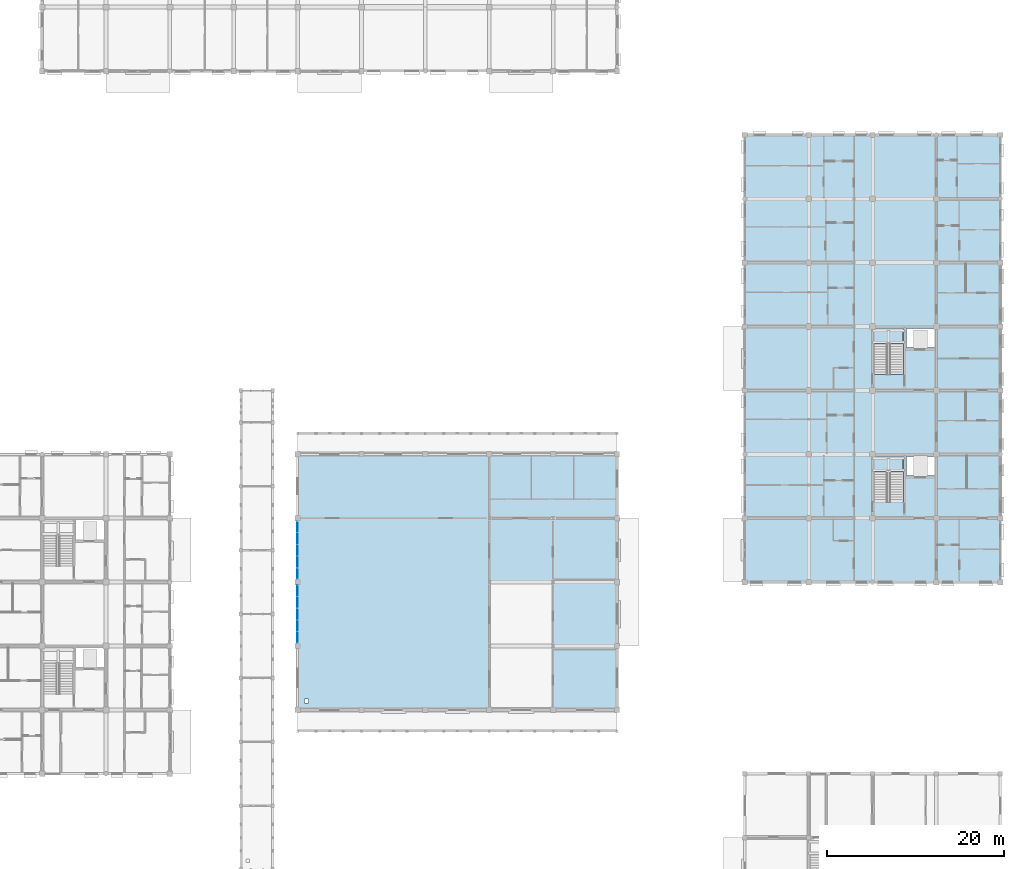
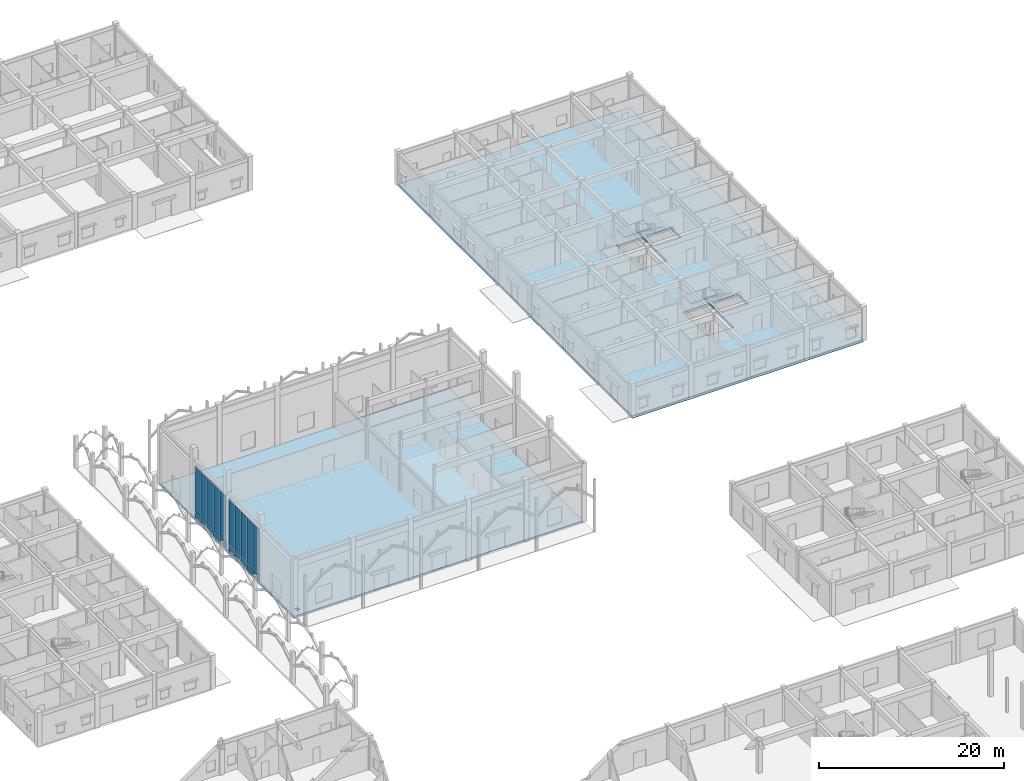
# One storey, part 62 of 138: 20 plates, 4 slabs, 4 elements without a shape of their own.
"""IFC4 building model written with IfcOpenShell, lengths in metres."""

from ifc_helpers import new_model, si_unit, direction, frame, origin, origin_2d, place, context, subcontext, project, spatial, polyline, rectangle, outline, extrude, material, layer, layer_set, type_object, element, aggregate, save


model = new_model("IFC4")

# Units and contexts
model_context = context("Model", 3, precision=1e-05, world=origin(), true_north=direction((0.0, 1.0)))
body_context = subcontext(model_context, "Body", "Model", "MODEL_VIEW")
ifc_project = project(units=[si_unit("LENGTHUNIT", "METRE"), si_unit("AREAUNIT", "SQUARE_METRE"), si_unit("VOLUMEUNIT", "CUBIC_METRE"), si_unit("PLANEANGLEUNIT", "RADIAN"), si_unit("MASSUNIT", "GRAM", prefix="KILO"), si_unit("THERMODYNAMICTEMPERATUREUNIT", "KELVIN"), si_unit("POWERUNIT", "WATT")], contexts=[model_context])

# Site, building, storey
site_placement = place(None, origin())
site = spatial("IfcSite", under=ifc_project, at=site_placement, CompositionType="ELEMENT")
building_placement = place(site_placement, origin())
building = spatial("IfcBuilding", under=site, at=building_placement, Name="Tavuni Mirador Residences", CompositionType="ELEMENT")
storey_placement = place(building_placement, origin())
storey = spatial("IfcBuildingStorey", under=building, at=storey_placement, Name="L00", CompositionType="ELEMENT", Elevation=0.0)

# Curtain wall, plates
ifc_material_1 = material(Name="Anodised aluminium", Category="aluminium")
ifc_layer_1 = layer(ifc_material_1, 0.199951171875, Name="Anodised aluminium", Category="aluminium")
ifc_layer_set_1 = layer_set([ifc_layer_1], Name="Anodised aluminium")
curtain_wall_type = type_object("IfcCurtainWallType", Name="CWT-HAL-01", PredefinedType="NOTDEFINED", material=ifc_layer_set_1)
curtain_wall_1_placement = place(storey_placement, origin())
curtain_wall_1 = element("IfcCurtainWall", 1, at=curtain_wall_1_placement, inside=storey, type_object=curtain_wall_type, Name="CW-PAV-HALL-L00-W02", PredefinedType="NOTDEFINED")
ifc_material_2 = material(Name="Laminated solar-control glass", Category="glass")
ifc_layer_2 = layer(ifc_material_2, 0.02392578125, Name="Laminated solar-control glass", Category="glass")
ifc_layer_set_2 = layer_set([ifc_layer_2], Name="Laminated solar-control glass")
plate_type_1 = type_object("IfcPlateType", Name="CWP-GL24", PredefinedType="CURTAIN_PANEL", material=ifc_layer_set_2)
plate_1_placement = place(storey_placement, frame((39.60009765625, 92.62255859375, 0.882568359375), z_axis=(0.0, 0.0, 1.0), x_axis=(0.0, -1.0, 0.0)))
plate_1 = element("IfcPlate", 2, at=plate_1_placement, type_object=plate_type_1, Name="CW-06 panel 1.2", PredefinedType="CURTAIN_PANEL", context=body_context, shape_type="SweptSolid", body=[
    extrude(rectangle(XDim=1.215087890625, YDim=0.02392578125, at=origin_2d()), origin(), (0.0, 0.0, 1.0), 6.00244140625),
])
plate_2_placement = place(storey_placement, frame((39.60009765625, 91.320068359375, 0.882568359375), z_axis=(0.0, 0.0, 1.0), x_axis=(0.0, -1.0, 0.0)))
plate_2 = element("IfcPlate", 3, at=plate_2_placement, type_object=plate_type_1, Name="CW-06 panel 2.2", PredefinedType="CURTAIN_PANEL", context=body_context, shape_type="SweptSolid", body=[
    extrude(rectangle(XDim=1.25, YDim=0.02392578125, at=origin_2d()), origin(), (0.0, 0.0, 1.0), 6.00244140625),
])
plate_3_placement = place(storey_placement, frame((39.60009765625, 90.0, 0.882568359375), z_axis=(0.0, 0.0, 1.0), x_axis=(0.0, -1.0, 0.0)))
plate_3 = element("IfcPlate", 4, at=plate_3_placement, type_object=plate_type_1, Name="CW-06 panel 3.2", PredefinedType="CURTAIN_PANEL", context=body_context, shape_type="SweptSolid", body=[
    extrude(rectangle(XDim=1.25, YDim=0.02392578125, at=origin_2d()), origin(), (0.0, 0.0, 1.0), 6.00244140625),
])
plate_4_placement = place(storey_placement, frame((39.60009765625, 88.679931640625, 0.882568359375), z_axis=(0.0, 0.0, 1.0), x_axis=(0.0, -1.0, 0.0)))
plate_4 = element("IfcPlate", 5, at=plate_4_placement, type_object=plate_type_1, Name="CW-06 panel 4.2", PredefinedType="CURTAIN_PANEL", context=body_context, shape_type="SweptSolid", body=[
    extrude(rectangle(XDim=1.25, YDim=0.02392578125, at=origin_2d()), origin(), (0.0, 0.0, 1.0), 6.00244140625),
])
plate_5_placement = place(storey_placement, frame((39.60009765625, 87.37744140625, 0.882568359375), z_axis=(0.0, 0.0, 1.0), x_axis=(0.0, -1.0, 0.0)))
plate_5 = element("IfcPlate", 6, at=plate_5_placement, type_object=plate_type_1, Name="CW-06 panel 5.2", PredefinedType="CURTAIN_PANEL", context=body_context, shape_type="SweptSolid", body=[
    extrude(rectangle(XDim=1.215087890625, YDim=0.02392578125, at=origin_2d()), origin(), (0.0, 0.0, 1.0), 6.00244140625),
])

curtain_wall_2_placement = place(storey_placement, origin())
curtain_wall_2 = element("IfcCurtainWall", 7, at=curtain_wall_2_placement, inside=storey, type_object=curtain_wall_type, Name="CW-PAV-HALL-L00-W01", PredefinedType="NOTDEFINED")
ifc_layer_3 = layer(ifc_material_2, 0.028076171875, Name="Laminated solar-control glass", Category="glass")
ifc_layer_set_3 = layer_set([ifc_layer_3], Name="Laminated solar-control glass")
plate_type_2 = type_object("IfcPlateType", Name="CWP-GL28", PredefinedType="CURTAIN_PANEL", material=ifc_layer_set_3)
plate_6_placement = place(storey_placement, frame((39.60009765625, 85.422607421875, 0.882568359375), z_axis=(0.0, 0.0, 1.0), x_axis=(0.0, -1.0, 0.0)))
plate_6 = element("IfcPlate", 8, at=plate_6_placement, type_object=plate_type_2, Name="CW-06 panel 1.2", PredefinedType="CURTAIN_PANEL", context=body_context, shape_type="SweptSolid", body=[
    extrude(rectangle(XDim=1.215087890625, YDim=0.028076171875, at=origin_2d()), origin(), (0.0, 0.0, 1.0), 6.00244140625),
])
plate_7_placement = place(storey_placement, frame((39.60009765625, 84.1201171875, 0.882568359375), z_axis=(0.0, 0.0, 1.0), x_axis=(0.0, -1.0, 0.0)))
plate_7 = element("IfcPlate", 9, at=plate_7_placement, type_object=plate_type_2, Name="CW-06 panel 2.2", PredefinedType="CURTAIN_PANEL", context=body_context, shape_type="SweptSolid", body=[
    extrude(rectangle(XDim=1.25, YDim=0.028076171875, at=origin_2d()), origin(), (0.0, 0.0, 1.0), 6.00244140625),
])
plate_8_placement = place(storey_placement, frame((39.60009765625, 82.800048828125, 0.882568359375), z_axis=(0.0, 0.0, 1.0), x_axis=(0.0, -1.0, 0.0)))
plate_8 = element("IfcPlate", 10, at=plate_8_placement, type_object=plate_type_2, Name="CW-06 panel 3.2", PredefinedType="CURTAIN_PANEL", context=body_context, shape_type="SweptSolid", body=[
    extrude(rectangle(XDim=1.25, YDim=0.028076171875, at=origin_2d()), origin(), (0.0, 0.0, 1.0), 6.00244140625),
])
plate_9_placement = place(storey_placement, frame((39.60009765625, 81.47998046875, 0.882568359375), z_axis=(0.0, 0.0, 1.0), x_axis=(0.0, -1.0, 0.0)))
plate_9 = element("IfcPlate", 11, at=plate_9_placement, type_object=plate_type_2, Name="CW-06 panel 4.2", PredefinedType="CURTAIN_PANEL", context=body_context, shape_type="SweptSolid", body=[
    extrude(rectangle(XDim=1.25, YDim=0.028076171875, at=origin_2d()), origin(), (0.0, 0.0, 1.0), 6.00244140625),
])
plate_10_placement = place(storey_placement, frame((39.60009765625, 80.177490234375, 0.882568359375), z_axis=(0.0, 0.0, 1.0), x_axis=(0.0, -1.0, 0.0)))
plate_10 = element("IfcPlate", 12, at=plate_10_placement, type_object=plate_type_2, Name="CW-06 panel 5.2", PredefinedType="CURTAIN_PANEL", context=body_context, shape_type="SweptSolid", body=[
    extrude(rectangle(XDim=1.215087890625, YDim=0.028076171875, at=origin_2d()), origin(), (0.0, 0.0, 1.0), 6.00244140625),
])

# Plate
ifc_material_3 = material(Name="Ceramic trencadis mosaic panel", Category="masonry")
ifc_layer_4 = layer(ifc_material_3, 0.0419921875, Name="Ceramic trencadis mosaic panel", Category="masonry")
ifc_layer_set_4 = layer_set([ifc_layer_4], Name="Ceramic trencadis mosaic panel")
plate_type_3 = type_object("IfcPlateType", Name="CWP-SP42", PredefinedType="CURTAIN_PANEL", material=ifc_layer_set_4)
plate_11_placement = place(storey_placement, frame((39.60009765625, 92.62255859375, 0.06494140625), z_axis=(0.0, 0.0, 1.0), x_axis=(0.0, -1.0, 0.0)))
plate_11 = element("IfcPlate", 13, at=plate_11_placement, type_object=plate_type_3, Name="CW-06 panel 1.1", PredefinedType="CURTAIN_PANEL", context=body_context, shape_type="SweptSolid", body=[
    extrude(rectangle(XDim=1.215087890625, YDim=0.0419921875, at=origin_2d()), origin(), (0.0, 0.0, 1.0), 0.75244140625),
])

plate_12_placement = place(storey_placement, frame((39.60009765625, 91.320068359375, 0.06494140625), z_axis=(0.0, 0.0, 1.0), x_axis=(0.0, -1.0, 0.0)))
plate_12 = element("IfcPlate", 14, at=plate_12_placement, type_object=plate_type_3, Name="CW-06 panel 2.1", PredefinedType="CURTAIN_PANEL", context=body_context, shape_type="SweptSolid", body=[
    extrude(rectangle(XDim=1.25, YDim=0.0419921875, at=origin_2d()), origin(), (0.0, 0.0, 1.0), 0.75244140625),
])

plate_13_placement = place(storey_placement, frame((39.60009765625, 90.0, 0.06494140625), z_axis=(0.0, 0.0, 1.0), x_axis=(0.0, -1.0, 0.0)))
plate_13 = element("IfcPlate", 15, at=plate_13_placement, type_object=plate_type_3, Name="CW-06 panel 3.1", PredefinedType="CURTAIN_PANEL", context=body_context, shape_type="SweptSolid", body=[
    extrude(rectangle(XDim=1.25, YDim=0.0419921875, at=origin_2d()), origin(), (0.0, 0.0, 1.0), 0.75244140625),
])

plate_14_placement = place(storey_placement, frame((39.60009765625, 88.679931640625, 0.06494140625), z_axis=(0.0, 0.0, 1.0), x_axis=(0.0, -1.0, 0.0)))
plate_14 = element("IfcPlate", 16, at=plate_14_placement, type_object=plate_type_3, Name="CW-06 panel 4.1", PredefinedType="CURTAIN_PANEL", context=body_context, shape_type="SweptSolid", body=[
    extrude(rectangle(XDim=1.25, YDim=0.0419921875, at=origin_2d()), origin(), (0.0, 0.0, 1.0), 0.75244140625),
])

plate_15_placement = place(storey_placement, frame((39.60009765625, 87.37744140625, 0.06494140625), z_axis=(0.0, 0.0, 1.0), x_axis=(0.0, -1.0, 0.0)))
plate_15 = element("IfcPlate", 17, at=plate_15_placement, type_object=plate_type_3, Name="CW-06 panel 5.1", PredefinedType="CURTAIN_PANEL", context=body_context, shape_type="SweptSolid", body=[
    extrude(rectangle(XDim=1.215087890625, YDim=0.0419921875, at=origin_2d()), origin(), (0.0, 0.0, 1.0), 0.75244140625),
])

aggregate(curtain_wall_1, [plate_11, plate_1, plate_12, plate_2, plate_13, plate_3, plate_14, plate_4, plate_15, plate_5])

ifc_layer_5 = layer(ifc_material_3, 0.048095703125, Name="Ceramic trencadis mosaic panel", Category="masonry")
ifc_layer_set_5 = layer_set([ifc_layer_5], Name="Ceramic trencadis mosaic panel")
plate_type_4 = type_object("IfcPlateType", Name="CWP-SP48", PredefinedType="CURTAIN_PANEL", material=ifc_layer_set_5)
plate_16_placement = place(storey_placement, frame((39.60009765625, 85.422607421875, 0.06494140625), z_axis=(0.0, 0.0, 1.0), x_axis=(0.0, -1.0, 0.0)))
plate_16 = element("IfcPlate", 18, at=plate_16_placement, type_object=plate_type_4, Name="CW-06 panel 1.1", PredefinedType="CURTAIN_PANEL", context=body_context, shape_type="SweptSolid", body=[
    extrude(rectangle(XDim=1.215087890625, YDim=0.048095703125, at=origin_2d()), origin(), (0.0, 0.0, 1.0), 0.75244140625),
])

plate_17_placement = place(storey_placement, frame((39.60009765625, 84.1201171875, 0.06494140625), z_axis=(0.0, 0.0, 1.0), x_axis=(0.0, -1.0, 0.0)))
plate_17 = element("IfcPlate", 19, at=plate_17_placement, type_object=plate_type_4, Name="CW-06 panel 2.1", PredefinedType="CURTAIN_PANEL", context=body_context, shape_type="SweptSolid", body=[
    extrude(rectangle(XDim=1.25, YDim=0.048095703125, at=origin_2d()), origin(), (0.0, 0.0, 1.0), 0.75244140625),
])

plate_18_placement = place(storey_placement, frame((39.60009765625, 82.800048828125, 0.06494140625), z_axis=(0.0, 0.0, 1.0), x_axis=(0.0, -1.0, 0.0)))
plate_18 = element("IfcPlate", 20, at=plate_18_placement, type_object=plate_type_4, Name="CW-06 panel 3.1", PredefinedType="CURTAIN_PANEL", context=body_context, shape_type="SweptSolid", body=[
    extrude(rectangle(XDim=1.25, YDim=0.048095703125, at=origin_2d()), origin(), (0.0, 0.0, 1.0), 0.75244140625),
])

plate_19_placement = place(storey_placement, frame((39.60009765625, 81.47998046875, 0.06494140625), z_axis=(0.0, 0.0, 1.0), x_axis=(0.0, -1.0, 0.0)))
plate_19 = element("IfcPlate", 21, at=plate_19_placement, type_object=plate_type_4, Name="CW-06 panel 4.1", PredefinedType="CURTAIN_PANEL", context=body_context, shape_type="SweptSolid", body=[
    extrude(rectangle(XDim=1.25, YDim=0.048095703125, at=origin_2d()), origin(), (0.0, 0.0, 1.0), 0.75244140625),
])

plate_20_placement = place(storey_placement, frame((39.60009765625, 80.177490234375, 0.06494140625), z_axis=(0.0, 0.0, 1.0), x_axis=(0.0, -1.0, 0.0)))
plate_20 = element("IfcPlate", 22, at=plate_20_placement, type_object=plate_type_4, Name="CW-06 panel 5.1", PredefinedType="CURTAIN_PANEL", context=body_context, shape_type="SweptSolid", body=[
    extrude(rectangle(XDim=1.215087890625, YDim=0.048095703125, at=origin_2d()), origin(), (0.0, 0.0, 1.0), 0.75244140625),
])

aggregate(curtain_wall_2, [plate_16, plate_6, plate_17, plate_7, plate_18, plate_8, plate_19, plate_9, plate_20, plate_10])

# Slabs
ifc_material_4 = material(Name="In-situ concrete C35/45", Category="concrete")
ifc_layer_6 = layer(ifc_material_4, 0.300048828125, Name="In-situ concrete C35/45", Category="concrete")
ifc_layer_set_6 = layer_set([ifc_layer_6], Name="In-situ concrete C35/45")
slab_type_1 = type_object("IfcSlabType", Name="SLT-BASE300", PredefinedType="BASESLAB", material=ifc_layer_set_6)
slab_1_placement = place(storey_placement, frame((0.0, 0.0, -0.300048828125)))
element("IfcSlab", 23, at=slab_1_placement, inside=storey, type_object=slab_type_1, Name="SLB-PAV-HALL-L00", PredefinedType="BASESLAB", context=body_context, shape_type="SweptSolid", body=[
    extrude(outline(polyline([(39.60009765625, 72.0), (75.60009765625, 72.0), (75.60009765625, 100.800048828125), (39.60009765625, 100.800048828125), (39.60009765625, 72.0)]), holes=[polyline([(40.39990234375, 72.800048828125), (40.800048828125, 72.800048828125), (40.800048828125, 73.199951171875), (40.39990234375, 73.199951171875), (40.39990234375, 72.800048828125)])]), origin(), (0.0, 0.0, 1.0), 0.300048828125),
])
ifc_layer_7 = layer(ifc_material_4, 0.320068359375, Name="In-situ concrete C35/45", Category="concrete")
ifc_layer_set_7 = layer_set([ifc_layer_7], Name="In-situ concrete C35/45")
slab_type_2 = type_object("IfcSlabType", Name="SLT-FLR320", PredefinedType="FLOOR", material=ifc_layer_set_7)
slab_2_placement = place(storey_placement, frame((0.0, 0.0, -0.320068359375)))
element("IfcSlab", 24, at=slab_2_placement, inside=storey, type_object=slab_type_2, Name="SLB-BLK-D-L00", PredefinedType="FLOOR", context=body_context, shape_type="SweptSolid", body=[
    extrude(outline(polyline([(90.0, 86.39990234375), (118.800048828125, 86.39990234375), (118.800048828125, 136.800048828125), (90.0, 136.800048828125), (90.0, 86.39990234375)]), holes=[polyline([(104.56005859375, 95.407958984375), (107.840087890625, 95.407958984375), (107.840087890625, 100.56005859375), (104.56005859375, 100.56005859375), (104.56005859375, 95.407958984375)]), polyline([(108.219970703125, 98.419921875), (111.3798828125, 98.419921875), (111.3798828125, 100.580078125), (108.219970703125, 100.580078125), (108.219970703125, 98.419921875)]), polyline([(104.56005859375, 109.80810546875), (107.840087890625, 109.80810546875), (107.840087890625, 114.9599609375), (104.56005859375, 114.9599609375), (104.56005859375, 109.80810546875)]), polyline([(108.219970703125, 112.820068359375), (111.3798828125, 112.820068359375), (111.3798828125, 114.97998046875), (108.219970703125, 114.97998046875), (108.219970703125, 112.820068359375)])]), origin(), (0.0, 0.0, 1.0), 0.320068359375),
])

# Stair, slab
ifc_material_5 = material(Name="Precast concrete C40/50", Category="concrete")
stair_type = type_object("IfcStairType", Name="STT-L00", PredefinedType="HALF_TURN_STAIR", material=ifc_material_5)
stair_1_placement = place(storey_placement, origin())
stair_1 = element("IfcStair", 25, at=stair_1_placement, inside=storey, type_object=stair_type, Name="Protected exit stair ST7 (L00)", PredefinedType="HALF_TURN_STAIR")
ifc_layer_8 = layer(ifc_material_5, 0.179931640625, Name="Precast concrete C40/50", Category="concrete")
ifc_layer_set_8 = layer_set([ifc_layer_8], Name="Precast concrete C40/50")
slab_type_3 = type_object("IfcSlabType", Name="SLT-LND180", PredefinedType="LANDING", material=ifc_layer_set_8)
slab_3_placement = place(storey_placement, frame((0.0, 0.0, 2.070068359375)))
slab_3 = element("IfcSlab", 26, at=slab_3_placement, type_object=slab_type_3, Name="ST7 landing 1", PredefinedType="LANDING", context=body_context, shape_type="SweptSolid", body=[
    extrude(outline(polyline([(104.5400390625, 98.81201171875), (107.860107421875, 98.81201171875), (107.860107421875, 100.5), (104.5400390625, 100.5), (104.5400390625, 98.81201171875)])), origin(), (0.0, 0.0, 1.0), 0.179931640625),
])
aggregate(stair_1, [slab_3])

stair_2_placement = place(storey_placement, origin())
stair_2 = element("IfcStair", 27, at=stair_2_placement, inside=storey, type_object=stair_type, Name="Protected exit stair ST8 (L00)", PredefinedType="HALF_TURN_STAIR")
slab_4_placement = place(storey_placement, frame((0.0, 0.0, 2.070068359375)))
slab_4 = element("IfcSlab", 28, at=slab_4_placement, type_object=slab_type_3, Name="ST8 landing 1", PredefinedType="LANDING", context=body_context, shape_type="SweptSolid", body=[
    extrude(outline(polyline([(104.5400390625, 113.2119140625), (107.860107421875, 113.2119140625), (107.860107421875, 114.89990234375), (104.5400390625, 114.89990234375), (104.5400390625, 113.2119140625)])), origin(), (0.0, 0.0, 1.0), 0.179931640625),
])
aggregate(stair_2, [slab_4])

save(model, "model.ifc")
